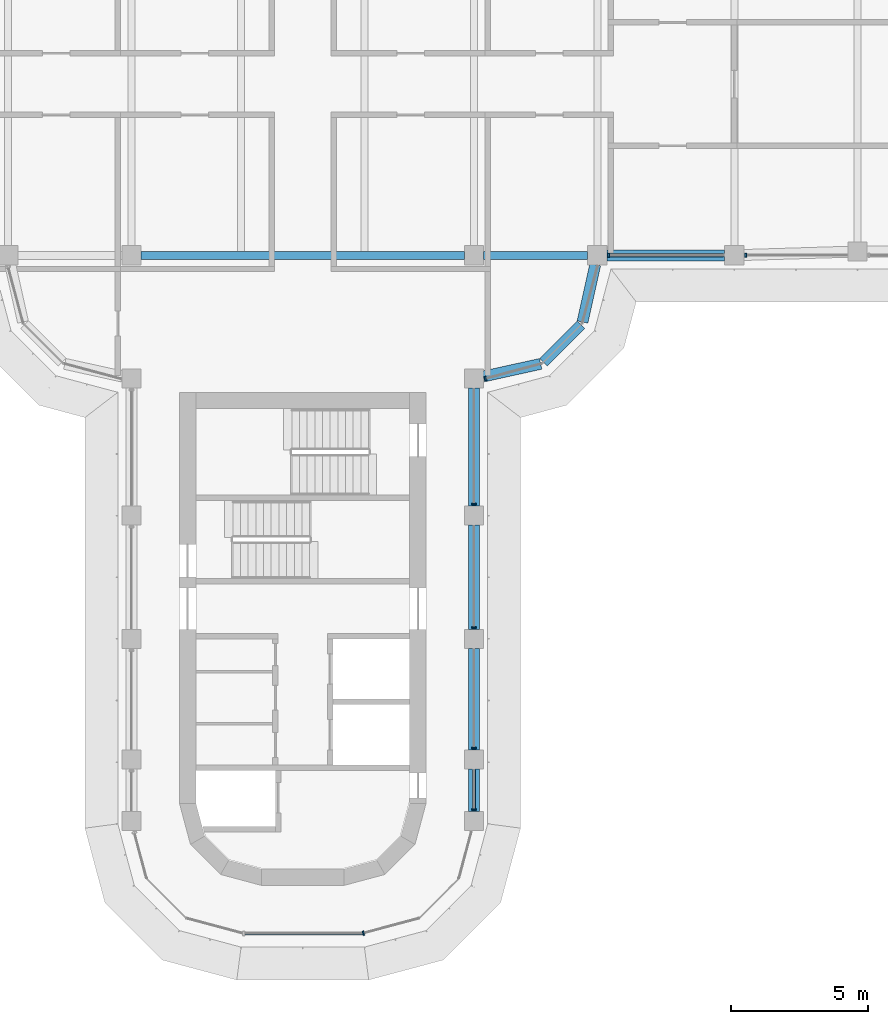
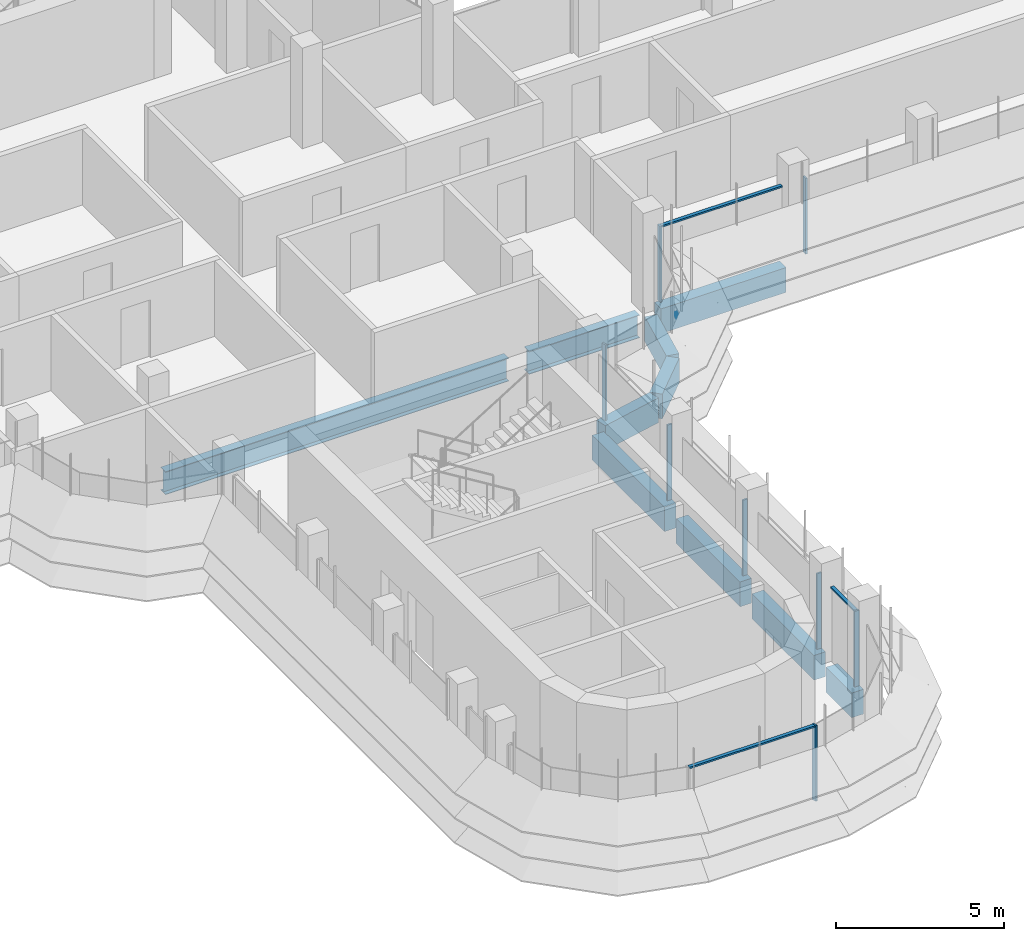
# One storey, part 4 of 19: 11 members, 10 beams, 5 elements without a shape of their own.
"""IFC4 building model written with IfcOpenShell, lengths in metres."""

from ifc_helpers import new_model, si_unit, direction, frame, origin, origin_2d, place, context, subcontext, project, spatial, polyline, rectangle, i_section, outline, extrude, source, transform, mapped, material, material_profile, profile_set, type_object, element, aggregate, save


model = new_model("IFC4")

# Units and contexts
model_context = context("Model", 3, precision=1e-05, world=origin(), true_north=direction((0.0, 1.0)))
body_context = subcontext(model_context, "Body", "Model", "MODEL_VIEW")
ifc_project = project(units=[si_unit("LENGTHUNIT", "METRE"), si_unit("AREAUNIT", "SQUARE_METRE"), si_unit("VOLUMEUNIT", "CUBIC_METRE"), si_unit("PLANEANGLEUNIT", "RADIAN"), si_unit("MASSUNIT", "GRAM", prefix="KILO")], contexts=[model_context])

# Site, building, storey
site_placement = place(None, origin())
site = spatial("IfcSite", under=ifc_project, at=site_placement, CompositionType="ELEMENT")
building_placement = place(site_placement, origin())
building = spatial("IfcBuilding", under=site, at=building_placement, Name="Zarbagh Exchange Tower", CompositionType="ELEMENT")
storey_placement = place(building_placement, frame((0.0, 0.0, 241.0)))
storey = spatial("IfcBuildingStorey", under=building, at=storey_placement, Name="L59", CompositionType="ELEMENT", Elevation=241.0)

# Beams
ifc_material_1 = material(Name="Steel ASTM A992 Gr 50", Category="steel")
ifc_material_profile_1 = material_profile(ifc_material_1, i_section(OverallWidth=0.2919921875, OverallDepth=0.835693359375, WebThickness=0.013916015625, FlangeThickness=0.018798828125, at=origin_2d()), Name="W33X118")
ifc_profile_set_1 = profile_set([ifc_material_profile_1], Name="Steel ASTM A992 Gr 50")
beam_type_1 = type_object("IfcBeamType", Name="Floor girder W33X118", PredefinedType="BEAM", material=ifc_profile_set_1)
beam_1_placement = place(storey_placement, frame((-5.89990234375, -6.25, -0.56787109375), z_axis=(1.0, 0.0, 0.0), x_axis=(0.0, 1.0, 0.0)))
element("IfcBeam", 1, at=beam_1_placement, inside=storey, type_object=beam_type_1, Name="Steel girder", PredefinedType="BEAM", context=body_context, shape_type="SweptSolid", body=[
    extrude(i_section(OverallWidth=0.2919921875, OverallDepth=0.835693359375, WebThickness=0.013916015625, FlangeThickness=0.018798828125, at=origin_2d()), origin(), (0.0, 0.0, 1.0), 11.7998046875),
])
beam_2_placement = place(storey_placement, frame((6.60009765625, -6.25, -0.56787109375), z_axis=(1.0, 0.0, 0.0), x_axis=(0.0, 1.0, 0.0)))
element("IfcBeam", 2, at=beam_2_placement, inside=storey, type_object=beam_type_1, Name="Steel girder", PredefinedType="BEAM", context=body_context, shape_type="SweptSolid", body=[
    extrude(i_section(OverallWidth=0.2919921875, OverallDepth=0.835693359375, WebThickness=0.013916015625, FlangeThickness=0.018798828125, at=origin_2d()), origin(), (0.0, 0.0, 1.0), 3.7998046875),
])
ifc_material_2 = material(Name="Concrete C50/60", Category="concrete")
ifc_material_profile_2 = material_profile(ifc_material_2, rectangle(XDim=0.39990234375, YDim=0.89990234375, at=origin_2d()), Name="RC spandrel beam 400 x 900 C50/60")
ifc_profile_set_2 = profile_set([ifc_material_profile_2], Name="Concrete C50/60")
beam_type_2 = type_object("IfcBeamType", Name="RC spandrel beam 400 x 900 C50/60", PredefinedType="SPANDREL", material=ifc_profile_set_2)
beam_3_placement = place(storey_placement, frame((15.39990234375, -6.25, -0.60009765625), z_axis=(-1.0, 0.0, 0.0), x_axis=(0.0, -1.0, 0.0)))
element("IfcBeam", 3, at=beam_3_placement, inside=storey, type_object=beam_type_2, Name="RC spandrel beam", PredefinedType="SPANDREL", context=body_context, shape_type="SweptSolid", body=[
    extrude(rectangle(XDim=0.39990234375, YDim=0.89990234375, at=origin_2d()), origin(), (0.0, 0.0, 1.0), 4.2998046875),
])
beam_4_placement = place(storey_placement, frame((10.67431640625, -6.591796875, -0.60009765625), z_axis=(-0.216013551096, -0.97639036545, 0.0), x_axis=(0.97639036545, -0.216013551096, 0.0)))
element("IfcBeam", 4, at=beam_4_placement, inside=storey, type_object=beam_type_2, Name="RC spandrel beam", PredefinedType="SPANDREL", context=body_context, shape_type="SweptSolid", body=[
    extrude(rectangle(XDim=0.39990234375, YDim=0.89990234375, at=origin_2d()), origin(), (0.0, 0.0, 1.0), 2.142822265625),
])
beam_5_placement = place(storey_placement, frame((10.15771484375, -8.782470703125, -0.60009765625), z_axis=(-0.707106781187, -0.707106781187, 0.0), x_axis=(0.707106781187, -0.707106781187, 0.0)))
element("IfcBeam", 5, at=beam_5_placement, inside=storey, type_object=beam_type_2, Name="RC spandrel beam", PredefinedType="SPANDREL", context=body_context, shape_type="SweptSolid", body=[
    extrude(rectangle(XDim=0.39990234375, YDim=0.89990234375, at=origin_2d()), origin(), (0.0, 0.0, 1.0), 1.94482421875),
])
beam_6_placement = place(storey_placement, frame((8.68408203125, -10.21142578125, -0.60009765625), z_axis=(-0.97639036545, -0.216013551096, 0.0), x_axis=(0.216013551096, -0.97639036545, 0.0)))
element("IfcBeam", 6, at=beam_6_placement, inside=storey, type_object=beam_type_2, Name="RC spandrel beam", PredefinedType="SPANDREL", context=body_context, shape_type="SweptSolid", body=[
    extrude(rectangle(XDim=0.39990234375, YDim=0.89990234375, at=origin_2d()), origin(), (0.0, 0.0, 1.0), 2.142822265625),
])
beam_7_placement = place(storey_placement, frame((6.25, -11.10009765625, -0.60009765625), z_axis=(0.0, -1.0, 0.0), x_axis=(1.0, 0.0, 0.0)))
element("IfcBeam", 7, at=beam_7_placement, inside=storey, type_object=beam_type_2, Name="RC spandrel beam", PredefinedType="SPANDREL", context=body_context, shape_type="SweptSolid", body=[
    extrude(rectangle(XDim=0.39990234375, YDim=0.89990234375, at=origin_2d()), origin(), (0.0, 0.0, 1.0), 4.2998046875),
])
beam_8_placement = place(storey_placement, frame((6.25, -16.10009765625, -0.60009765625), z_axis=(0.0, -1.0, 0.0), x_axis=(1.0, 0.0, 0.0)))
element("IfcBeam", 8, at=beam_8_placement, inside=storey, type_object=beam_type_2, Name="RC spandrel beam", PredefinedType="SPANDREL", context=body_context, shape_type="SweptSolid", body=[
    extrude(rectangle(XDim=0.39990234375, YDim=0.89990234375, at=origin_2d()), origin(), (0.0, 0.0, 1.0), 3.7998046875),
])
beam_9_placement = place(storey_placement, frame((6.25, -20.60009765625, -0.60009765625), z_axis=(0.0, -1.0, 0.0), x_axis=(1.0, 0.0, 0.0)))
element("IfcBeam", 9, at=beam_9_placement, inside=storey, type_object=beam_type_2, Name="RC spandrel beam", PredefinedType="SPANDREL", context=body_context, shape_type="SweptSolid", body=[
    extrude(rectangle(XDim=0.39990234375, YDim=0.89990234375, at=origin_2d()), origin(), (0.0, 0.0, 1.0), 3.699951171875),
])
beam_10_placement = place(storey_placement, frame((6.25, -25.0, -0.60009765625), z_axis=(0.0, -1.0, 0.0), x_axis=(1.0, 0.0, 0.0)))
element("IfcBeam", 10, at=beam_10_placement, inside=storey, type_object=beam_type_2, Name="RC spandrel beam", PredefinedType="SPANDREL", context=body_context, shape_type="SweptSolid", body=[
    extrude(rectangle(XDim=0.39990234375, YDim=0.89990234375, at=origin_2d()), origin(), (0.0, 0.0, 1.0), 1.550048828125),
])

# Curtain wall, member
ifc_material_3 = material(Name="Anodised aluminium frame and glazing", Category="aluminium")
curtain_wall_type = type_object("IfcCurtainWallType", Name="CWB Ribbon glazing, upper zones", PredefinedType="NOTDEFINED", material=ifc_material_3)
curtain_wall_1_placement = place(storey_placement, origin())
curtain_wall_1 = element("IfcCurtainWall", 11, at=curtain_wall_1_placement, inside=storey, type_object=curtain_wall_type, Name="CWB49 curtain wall", PredefinedType="NOTDEFINED")
ifc_material_4 = material(Name="Anodised aluminium frame", Category="aluminium")
member_type_1 = type_object("IfcMemberType", Name="MUB Mullion, anodised aluminium frame", PredefinedType="MULLION", material=ifc_material_4)
shared_shape_1 = source(origin(), body_context, "Body", "SweptSolid", [
    extrude(outline(polyline([(0.0, -0.080078125), (0.06005859375, -0.080078125), (0.06005859375, 0.080078125), (0.0, 0.080078125), (0.0, -0.080078125)])), origin(), (0.0, 0.0, 1.0), 2.75),
])
placement = place(storey_placement, origin())
member_1 = element("IfcMember", 12, at=placement, type_object=member_type_1, Name="CWB49 mullion 1.1", PredefinedType="MULLION", context=body_context, shape_type="MappedRepresentation", body=[
    mapped(shared_shape_1, transform((2.18408203125, -31.0, 0.0), x_axis=(0.965924289636, 0.258824779902, 0.0), y_axis=(-0.258824779902, 0.965924289636, 0.0), z_axis=(0.0, 0.0, 1.0))),
])
aggregate(curtain_wall_1, [member_1])

# Curtain wall, members
curtain_wall_2_placement = place(storey_placement, origin())
curtain_wall_2 = element("IfcCurtainWall", 13, at=curtain_wall_2_placement, inside=storey, type_object=curtain_wall_type, Name="CWB52 curtain wall", PredefinedType="NOTDEFINED")
member_2 = element("IfcMember", 14, at=placement, type_object=member_type_1, Name="CWB52 mullion 1.1", PredefinedType="MULLION", context=body_context, shape_type="MappedRepresentation", body=[
    mapped(shared_shape_1, transform((6.25, -26.510009765625, 0.0), x_axis=(0.0, 1.0, 0.0), y_axis=(-1.0, 0.0, 0.0), z_axis=(0.0, 0.0, 1.0))),
])
member_3 = element("IfcMember", 15, at=placement, type_object=member_type_1, Name="CWB52 mullion 2.1", PredefinedType="MULLION", context=body_context, shape_type="MappedRepresentation", body=[
    mapped(shared_shape_1, transform((6.25, -24.260009765625, 0.0), x_axis=(0.0, 1.0, 0.0), y_axis=(-1.0, 0.0, 0.0), z_axis=(0.0, 0.0, 1.0))),
])
member_4 = element("IfcMember", 16, at=placement, type_object=member_type_1, Name="CWB52 mullion 3.1", PredefinedType="MULLION", context=body_context, shape_type="MappedRepresentation", body=[
    mapped(shared_shape_1, transform((6.25, -19.85986328125, 0.0), x_axis=(0.0, 1.0, 0.0), y_axis=(-1.0, 0.0, 0.0), z_axis=(0.0, 0.0, 1.0))),
])
member_5 = element("IfcMember", 17, at=placement, type_object=member_type_1, Name="CWB52 mullion 4.1", PredefinedType="MULLION", context=body_context, shape_type="MappedRepresentation", body=[
    mapped(shared_shape_1, transform((6.25, -15.35986328125, 0.0), x_axis=(0.0, 1.0, 0.0), y_axis=(-1.0, 0.0, 0.0), z_axis=(0.0, 0.0, 1.0))),
])

# Curtain wall, member
curtain_wall_3_placement = place(storey_placement, origin())
curtain_wall_3 = element("IfcCurtainWall", 18, at=curtain_wall_3_placement, inside=storey, type_object=curtain_wall_type, Name="CWB05 curtain wall", PredefinedType="NOTDEFINED")
member_6 = element("IfcMember", 19, at=placement, type_object=member_type_1, Name="CWB05 mullion 1.1", PredefinedType="MULLION", context=body_context, shape_type="MappedRepresentation", body=[
    mapped(shared_shape_1, transform((6.64013671875, -10.76171875, 0.0), x_axis=(0.965924289636, 0.258824779902, 0.0), y_axis=(-0.258824779902, 0.965924289636, 0.0), z_axis=(0.0, 0.0, 1.0))),
])
aggregate(curtain_wall_3, [member_6])

# Curtain wall, members
curtain_wall_4_placement = place(storey_placement, origin())
curtain_wall_4 = element("IfcCurtainWall", 20, at=curtain_wall_4_placement, inside=storey, type_object=curtain_wall_type, Name="CWB08 curtain wall", PredefinedType="NOTDEFINED")
member_7 = element("IfcMember", 21, at=placement, type_object=member_type_1, Name="CWB08 mullion 1.1", PredefinedType="MULLION", context=body_context, shape_type="MappedRepresentation", body=[
    mapped(shared_shape_1, transform((11.14013671875, -6.25, 0.0), x_axis=(1.0, 0.0, 0.0), y_axis=(0.0, 1.0, 0.0), z_axis=(0.0, 0.0, 1.0))),
])
member_8 = element("IfcMember", 22, at=placement, type_object=member_type_1, Name="CWB08 mullion 2.1", PredefinedType="MULLION", context=body_context, shape_type="MappedRepresentation", body=[
    mapped(shared_shape_1, transform((16.14013671875, -6.25, 0.0), x_axis=(1.0, 0.0, 0.0), y_axis=(0.0, 1.0, 0.0), z_axis=(0.0, 0.0, 1.0))),
])

# Curtain wall, member
curtain_wall_5_placement = place(storey_placement, origin())
curtain_wall_5 = element("IfcCurtainWall", 23, at=curtain_wall_5_placement, inside=storey, type_object=curtain_wall_type, Name="CWB57 curtain wall", PredefinedType="NOTDEFINED")
member_type_2 = type_object("IfcMemberType", Name="TRB Transom, anodised aluminium frame", PredefinedType="USERDEFINED", material=ifc_material_4)
shared_shape_2 = source(origin(), body_context, "Body", "SweptSolid", [
    extrude(outline(polyline([(-0.06005859375, -0.06005859375), (0.0, -0.06005859375), (0.0, 0.06005859375), (-0.06005859375, 0.06005859375), (-0.06005859375, -0.06005859375)])), origin(), (0.0, 0.0, 1.0), 4.308349609375),
])
member_9 = element("IfcMember", 24, at=placement, type_object=member_type_2, Name="CWB57 transom 1.1", ObjectType="TRANSOM", PredefinedType="USERDEFINED", context=body_context, shape_type="MappedRepresentation", body=[
    mapped(shared_shape_2, transform((-2.124267578125, -31.0, 2.75), x_axis=(0.0, 0.0, 1.0), y_axis=(0.0, -1.0, 0.0), z_axis=(1.0, 0.0, 0.0))),
])
aggregate(curtain_wall_5, [member_9])

# Member
shared_shape_3 = source(origin(), body_context, "Body", "SweptSolid", [
    extrude(outline(polyline([(-0.06005859375, -0.06005859375), (0.0, -0.06005859375), (0.0, 0.06005859375), (-0.06005859375, 0.06005859375), (-0.06005859375, -0.06005859375)])), origin(), (0.0, 0.0, 1.0), 1.409912109375),
])
member_10 = element("IfcMember", 25, at=placement, type_object=member_type_2, Name="CWB52 transom 1.1", ObjectType="TRANSOM", PredefinedType="USERDEFINED", context=body_context, shape_type="MappedRepresentation", body=[
    mapped(shared_shape_3, transform((6.25, -26.449951171875, 2.75), x_axis=(0.0, 0.0, 1.0), y_axis=(1.0, 0.0, 0.0), z_axis=(0.0, 1.0, 0.0))),
])

aggregate(curtain_wall_2, [member_2, member_10, member_3, member_4, member_5])

shared_shape_4 = source(origin(), body_context, "Body", "SweptSolid", [
    extrude(outline(polyline([(-0.06005859375, -0.06005859375), (0.0, -0.06005859375), (0.0, 0.06005859375), (-0.06005859375, 0.06005859375), (-0.06005859375, -0.06005859375)])), origin(), (0.0, 0.0, 1.0), 4.159912109375),
])
member_11 = element("IfcMember", 26, at=placement, type_object=member_type_2, Name="CWB08 transom 1.1", ObjectType="TRANSOM", PredefinedType="USERDEFINED", context=body_context, shape_type="MappedRepresentation", body=[
    mapped(shared_shape_4, transform((11.199951171875, -6.25, 2.75), x_axis=(0.0, 0.0, 1.0), y_axis=(0.0, -1.0, 0.0), z_axis=(1.0, 0.0, 0.0))),
])

aggregate(curtain_wall_4, [member_7, member_11, member_8])

save(model, "model.ifc")
